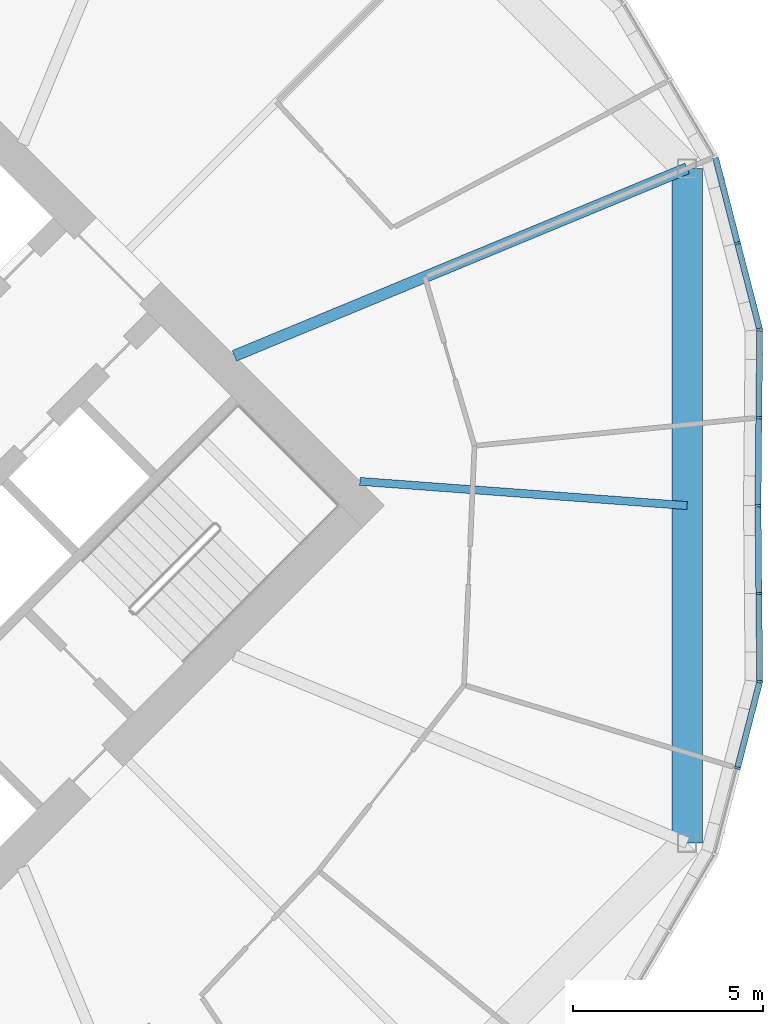
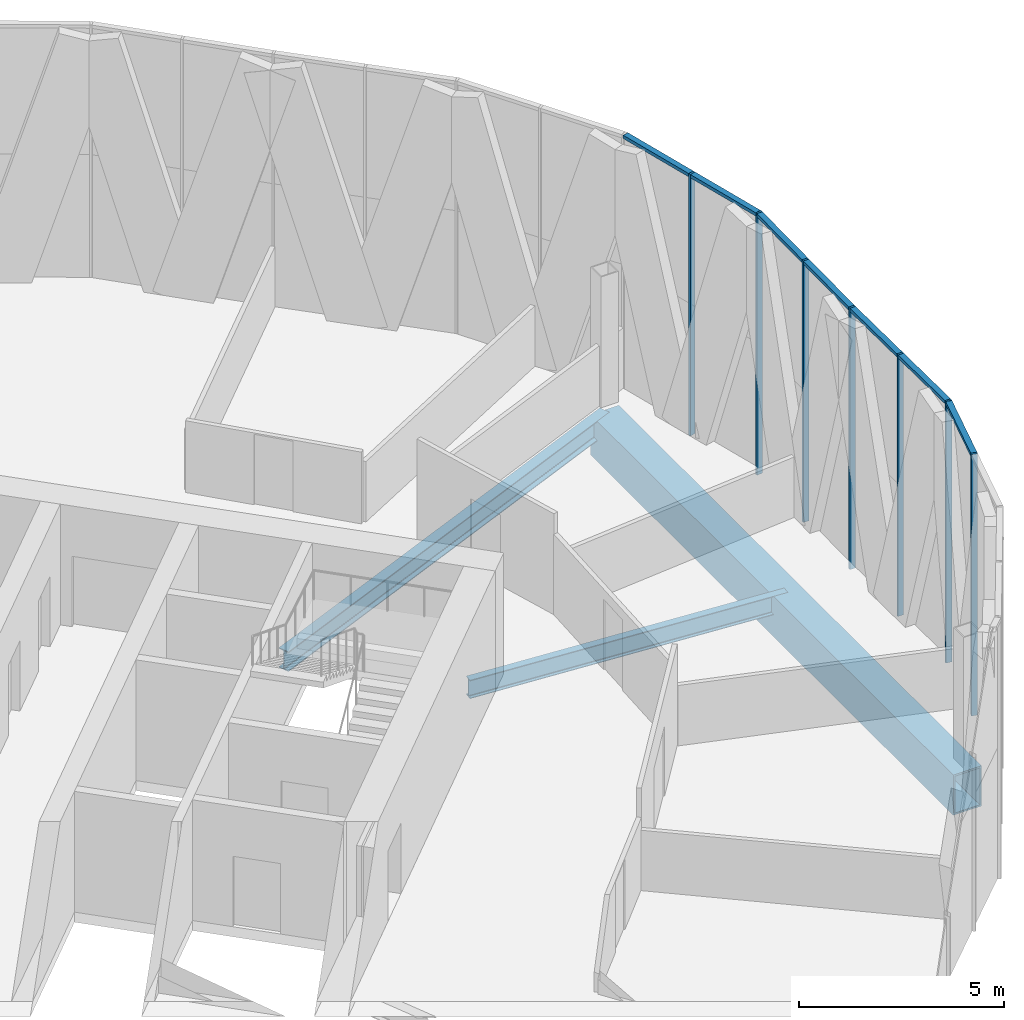
# One storey, part 14 of 31: 14 members, 3 beams, 2 elements without a shape of their own.
"""IFC4 building model written with IfcOpenShell, lengths in metres."""

from ifc_helpers import new_model, si_unit, direction, frame, origin, origin_2d, place, context, subcontext, project, spatial, rectangle, hollow_rectangle, i_section, extrude, material, material_profile, profile_set, type_object, element, aggregate, save


model = new_model("IFC4")

# Units and contexts
model_context = context("Model", 3, precision=1e-05, world=origin(), true_north=direction((0.0, 1.0)))
body_context = subcontext(model_context, "Body", "Model", "MODEL_VIEW")
ifc_project = project(units=[si_unit("LENGTHUNIT", "METRE"), si_unit("AREAUNIT", "SQUARE_METRE"), si_unit("VOLUMEUNIT", "CUBIC_METRE"), si_unit("PLANEANGLEUNIT", "RADIAN"), si_unit("MASSUNIT", "GRAM", prefix="KILO")], contexts=[model_context])

# Site, building, storey
site_placement = place(None, origin())
site = spatial("IfcSite", under=ifc_project, at=site_placement, CompositionType="ELEMENT")
building_placement = place(site_placement, origin())
building = spatial("IfcBuilding", under=site, at=building_placement, Name="Ogive Gate Towers", CompositionType="ELEMENT")
storey_placement = place(building_placement, frame((0.0, 0.0, 107.39990234375)))
storey = spatial("IfcBuildingStorey", under=building, at=storey_placement, Name="L25", CompositionType="ELEMENT", Elevation=107.39990234375)

# Beams
ifc_material_1 = material(Name="Steel SM460", Category="steel")
ifc_material_profile_1 = material_profile(ifc_material_1, hollow_rectangle(XDim=0.800048828125, YDim=1.199951171875, WallThickness=0.050048828125, at=origin_2d()), Name="BX 1200x800x50")
ifc_profile_set_1 = profile_set([ifc_material_profile_1], Name="Steel SM460")
beam_type_1 = type_object("IfcBeamType", Name="Edge girder BX 1200x800x50", PredefinedType="BEAM", material=ifc_profile_set_1)
beam_1_placement = place(storey_placement, frame((57.39697265625, -8.863037109375, -0.89990234375), z_axis=(0.0, 1.0, 0.0), x_axis=(-1.0, 0.0, 0.0)))
element("IfcBeam", 1, at=beam_1_placement, inside=storey, type_object=beam_type_1, Name="T2/L25/SBM020", PredefinedType="BEAM", context=body_context, shape_type="SweptSolid", body=[
    extrude(hollow_rectangle(XDim=0.800048828125, YDim=1.199951171875, WallThickness=0.050048828125, at=origin_2d()), origin(), (0.0, 0.0, 1.0), 17.72607421875),
])
ifc_material_2 = material(Name="Steel SM355", Category="steel")
ifc_material_profile_2 = material_profile(ifc_material_2, i_section(OverallWidth=0.300048828125, OverallDepth=0.590087890625, WebThickness=0.012939453125, FlangeThickness=0.02490234375, FilletRadius=0.027099609375, at=origin_2d()), Name="HE 600 A")
ifc_profile_set_2 = profile_set([ifc_material_profile_2], Name="Steel SM355")
beam_type_2 = type_object("IfcBeamType", Name="Radial floor beam HE 600 A", PredefinedType="BEAM", material=ifc_profile_set_2)
beam_2_placement = place(storey_placement, frame((45.5, 3.93505859375, -0.594970703125), z_axis=(0.923877031545, 0.382689470177, 0.0), x_axis=(-0.382689470177, 0.923877031545, 0.0)))
element("IfcBeam", 2, at=beam_2_placement, inside=storey, type_object=beam_type_2, Name="T2/L25/SBM009", PredefinedType="BEAM", context=body_context, shape_type="SweptSolid", body=[
    extrude(i_section(OverallWidth=0.300048828125, OverallDepth=0.590087890625, WebThickness=0.012939453125, FlangeThickness=0.02490234375, FilletRadius=0.027099609375, at=origin_2d()), origin(), (0.0, 0.0, 1.0), 12.877197265625),
])
ifc_material_profile_3 = material_profile(ifc_material_2, i_section(OverallWidth=0.2099609375, OverallDepth=0.550048828125, WebThickness=0.010986328125, FlangeThickness=0.01708984375, FilletRadius=0.02392578125, at=origin_2d()), Name="IPE 550")
ifc_profile_set_3 = profile_set([ifc_material_profile_3], Name="Steel SM355")
beam_type_3 = type_object("IfcBeamType", Name="Radial floor beam IPE 550", PredefinedType="BEAM", material=ifc_profile_set_3)
beam_3_placement = place(storey_placement, frame((48.798583984375, 0.636474609375, -0.574951171875), z_axis=(0.997271538954, -0.07382057702, 0.0), x_axis=(0.07382057702, 0.997271538954, 0.0)))
element("IfcBeam", 3, at=beam_3_placement, inside=storey, type_object=beam_type_3, Name="T2/L25/SBM008", PredefinedType="BEAM", context=body_context, shape_type="SweptSolid", body=[
    extrude(i_section(OverallWidth=0.2099609375, OverallDepth=0.550048828125, WebThickness=0.010986328125, FlangeThickness=0.01708984375, FilletRadius=0.02392578125, at=origin_2d()), origin(), (0.0, 0.0, 1.0), 8.621826171875),
])

# Curtain wall, members
ifc_material_3 = material(Name="Pale metal aluminium", Category="aluminium")
curtain_wall_type = type_object("IfcCurtainWallType", Name="Tower unitised wall, low zone", PredefinedType="NOTDEFINED", material=ifc_material_3)
curtain_wall_1_placement = place(storey_placement, origin())
curtain_wall_1 = element("IfcCurtainWall", 4, at=curtain_wall_1_placement, inside=storey, type_object=curtain_wall_type, Name="CW1 T2 ECW03", PredefinedType="NOTDEFINED")
ifc_material_profile_4 = material_profile(ifc_material_3, rectangle(XDim=0.159912109375, YDim=0.06005859375, at=origin_2d()), Name="60 x 160 aluminium box")
ifc_profile_set_4 = profile_set([ifc_material_profile_4], Name="Pale metal aluminium")
member_type_1 = type_object("IfcMemberType", Name="Tower unitised wall, low zone mullion 60 x 160", PredefinedType="MULLION", material=ifc_profile_set_4)
member_1_placement = place(storey_placement, frame((58.7216796875, 6.89794921875, -0.2998046875), z_axis=(0.0, 0.0, 1.0), x_axis=(-0.968470209515, -0.249129390641, 0.0)))
member_1 = element("IfcMember", 5, at=member_1_placement, type_object=member_type_1, Name="CW1 mullion", PredefinedType="MULLION", context=body_context, shape_type="SweptSolid", body=[
    extrude(rectangle(XDim=0.159912109375, YDim=0.06005859375, at=origin_2d()), origin(), (0.0, 0.0, 1.0), 7.7998046875),
])
member_2_placement = place(storey_placement, frame((59.305908203125, 4.62646484375, -0.2998046875), z_axis=(0.0, 0.0, 1.0), x_axis=(-0.99269640805, -0.120639303069, 0.0)))
member_2 = element("IfcMember", 6, at=member_2_placement, type_object=member_type_1, Name="CW1 mullion", PredefinedType="MULLION", context=body_context, shape_type="SweptSolid", body=[
    extrude(rectangle(XDim=0.159912109375, YDim=0.06005859375, at=origin_2d()), origin(), (0.0, 0.0, 1.0), 7.7998046875),
])
member_3_placement = place(storey_placement, frame((59.282958984375, 2.31201171875, -0.2998046875), z_axis=(0.0, 0.0, 1.0), x_axis=(-0.999950688785, 0.009930760208, 0.0)))
member_3 = element("IfcMember", 7, at=member_3_placement, type_object=member_type_1, Name="CW1 mullion", PredefinedType="MULLION", context=body_context, shape_type="SweptSolid", body=[
    extrude(rectangle(XDim=0.159912109375, YDim=0.06005859375, at=origin_2d()), origin(), (0.0, 0.0, 1.0), 7.7998046875),
])
member_4_placement = place(storey_placement, frame((59.260009765625, -0.000244140625, -0.2998046875), z_axis=(0.0, 0.0, 1.0), x_axis=(-0.999951034825, 0.009895855338, 0.0)))
member_4 = element("IfcMember", 8, at=member_4_placement, type_object=member_type_1, Name="CW1 mullion", PredefinedType="MULLION", context=body_context, shape_type="SweptSolid", body=[
    extrude(rectangle(XDim=0.159912109375, YDim=0.06005859375, at=origin_2d()), origin(), (0.0, 0.0, 1.0), 7.7998046875),
])

curtain_wall_2_placement = place(storey_placement, origin())
curtain_wall_2 = element("IfcCurtainWall", 9, at=curtain_wall_2_placement, inside=storey, type_object=curtain_wall_type, Name="CW1 T2 ECW10", PredefinedType="NOTDEFINED")
member_5_placement = place(storey_placement, frame((59.282958984375, -2.31201171875, -0.2998046875), z_axis=(0.0, 0.0, 1.0), x_axis=(-0.999950688785, -0.009930760208, 0.0)))
member_5 = element("IfcMember", 10, at=member_5_placement, type_object=member_type_1, Name="CW1 mullion", PredefinedType="MULLION", context=body_context, shape_type="SweptSolid", body=[
    extrude(rectangle(XDim=0.159912109375, YDim=0.06005859375, at=origin_2d()), origin(), (0.0, 0.0, 1.0), 7.7998046875),
])
member_6_placement = place(storey_placement, frame((59.305908203125, -4.62646484375, -0.2998046875), z_axis=(0.0, 0.0, 1.0), x_axis=(-0.99269640805, 0.120639303069, 0.0)))
member_6 = element("IfcMember", 11, at=member_6_placement, type_object=member_type_1, Name="CW1 mullion", PredefinedType="MULLION", context=body_context, shape_type="SweptSolid", body=[
    extrude(rectangle(XDim=0.159912109375, YDim=0.06005859375, at=origin_2d()), origin(), (0.0, 0.0, 1.0), 7.7998046875),
])
member_7_placement = place(storey_placement, frame((58.7216796875, -6.89794921875, -0.2998046875), z_axis=(0.0, 0.0, 1.0), x_axis=(-0.968470209515, 0.249129390641, 0.0)))
member_7 = element("IfcMember", 12, at=member_7_placement, type_object=member_type_1, Name="CW1 mullion", PredefinedType="MULLION", context=body_context, shape_type="SweptSolid", body=[
    extrude(rectangle(XDim=0.159912109375, YDim=0.06005859375, at=origin_2d()), origin(), (0.0, 0.0, 1.0), 7.7998046875),
])

# Member
ifc_material_profile_5 = material_profile(ifc_material_3, rectangle(XDim=0.159912109375, YDim=0.10009765625, at=origin_2d()), Name="100 x 160 aluminium box")
ifc_profile_set_5 = profile_set([ifc_material_profile_5], Name="Pale metal aluminium")
member_type_2 = type_object("IfcMemberType", Name="Tower unitised wall, low zone transom 100 x 160", PredefinedType="USERDEFINED", material=ifc_profile_set_5)
member_8_placement = place(storey_placement, frame((58.1455078125, 9.1376953125, 7.4501953125), z_axis=(0.249098365983, -0.968478189772, 0.0), x_axis=(0.968478189772, 0.249098365983, 0.0)))
member_8 = element("IfcMember", 13, at=member_8_placement, type_object=member_type_2, Name="CW1 transom", ObjectType="TRANSOM", PredefinedType="USERDEFINED", context=body_context, shape_type="SweptSolid", body=[
    extrude(rectangle(XDim=0.159912109375, YDim=0.10009765625, at=origin_2d()), origin(), (0.0, 0.0, 1.0), 2.28271484375),
])

member_9_placement = place(storey_placement, frame((58.72900390625, 6.868896484375, 7.4501953125), z_axis=(0.249198680485, -0.968452382745, 0.0), x_axis=(0.968452382745, 0.249198680485, 0.0)))
member_9 = element("IfcMember", 14, at=member_9_placement, type_object=member_type_2, Name="CW1 transom", ObjectType="TRANSOM", PredefinedType="USERDEFINED", context=body_context, shape_type="SweptSolid", body=[
    extrude(rectangle(XDim=0.159912109375, YDim=0.10009765625, at=origin_2d()), origin(), (0.0, 0.0, 1.0), 2.28271484375),
])

member_10_placement = place(storey_placement, frame((59.3056640625, 4.593994140625, 7.4501953125), z_axis=(-0.00997240382, -0.999950274345, 0.0), x_axis=(0.999950274345, -0.00997240382, 0.0)))
member_10 = element("IfcMember", 15, at=member_10_placement, type_object=member_type_2, Name="CW1 transom", ObjectType="TRANSOM", PredefinedType="USERDEFINED", context=body_context, shape_type="SweptSolid", body=[
    extrude(rectangle(XDim=0.159912109375, YDim=0.10009765625, at=origin_2d()), origin(), (0.0, 0.0, 1.0), 2.252197265625),
])

member_11_placement = place(storey_placement, frame((59.28271484375, 2.281982421875, 7.4501953125), z_axis=(-0.00997240382, -0.999950274345, 0.0), x_axis=(0.999950274345, -0.00997240382, 0.0)))
member_11 = element("IfcMember", 16, at=member_11_placement, type_object=member_type_2, Name="CW1 transom", ObjectType="TRANSOM", PredefinedType="USERDEFINED", context=body_context, shape_type="SweptSolid", body=[
    extrude(rectangle(XDim=0.159912109375, YDim=0.10009765625, at=origin_2d()), origin(), (0.0, 0.0, 1.0), 2.252197265625),
])

aggregate(curtain_wall_1, [member_1, member_8, member_2, member_9, member_3, member_10, member_4, member_11])

member_12_placement = place(storey_placement, frame((59.26025390625, -0.02978515625, 7.4501953125), z_axis=(0.00997240382, -0.999950274345, 0.0), x_axis=(0.999950274345, 0.00997240382, 0.0)))
member_12 = element("IfcMember", 17, at=member_12_placement, type_object=member_type_2, Name="CW1 transom", ObjectType="TRANSOM", PredefinedType="USERDEFINED", context=body_context, shape_type="SweptSolid", body=[
    extrude(rectangle(XDim=0.159912109375, YDim=0.10009765625, at=origin_2d()), origin(), (0.0, 0.0, 1.0), 2.252197265625),
])

member_13_placement = place(storey_placement, frame((59.283203125, -2.341796875, 7.4501953125), z_axis=(0.00997240382, -0.999950274345, 0.0), x_axis=(0.999950274345, 0.00997240382, 0.0)))
member_13 = element("IfcMember", 18, at=member_13_placement, type_object=member_type_2, Name="CW1 transom", ObjectType="TRANSOM", PredefinedType="USERDEFINED", context=body_context, shape_type="SweptSolid", body=[
    extrude(rectangle(XDim=0.159912109375, YDim=0.10009765625, at=origin_2d()), origin(), (0.0, 0.0, 1.0), 2.252197265625),
])

member_14_placement = place(storey_placement, frame((59.2978515625, -4.658203125, 7.4501953125), z_axis=(-0.249198680485, -0.968452382745, 0.0), x_axis=(0.968452382745, -0.249198680485, 0.0)))
member_14 = element("IfcMember", 19, at=member_14_placement, type_object=member_type_2, Name="CW1 transom", ObjectType="TRANSOM", PredefinedType="USERDEFINED", context=body_context, shape_type="SweptSolid", body=[
    extrude(rectangle(XDim=0.159912109375, YDim=0.10009765625, at=origin_2d()), origin(), (0.0, 0.0, 1.0), 2.28271484375),
])

aggregate(curtain_wall_2, [member_5, member_12, member_6, member_13, member_7, member_14])

save(model, "model.ifc")
